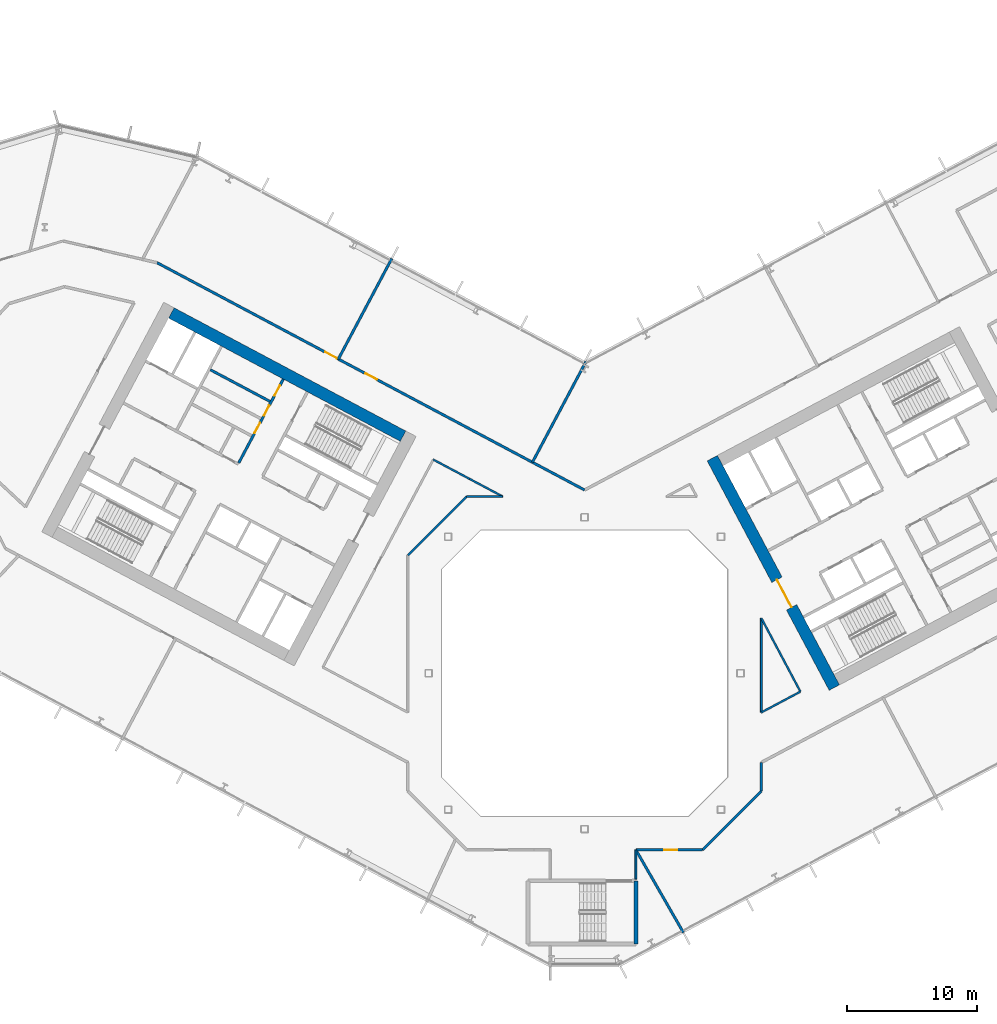
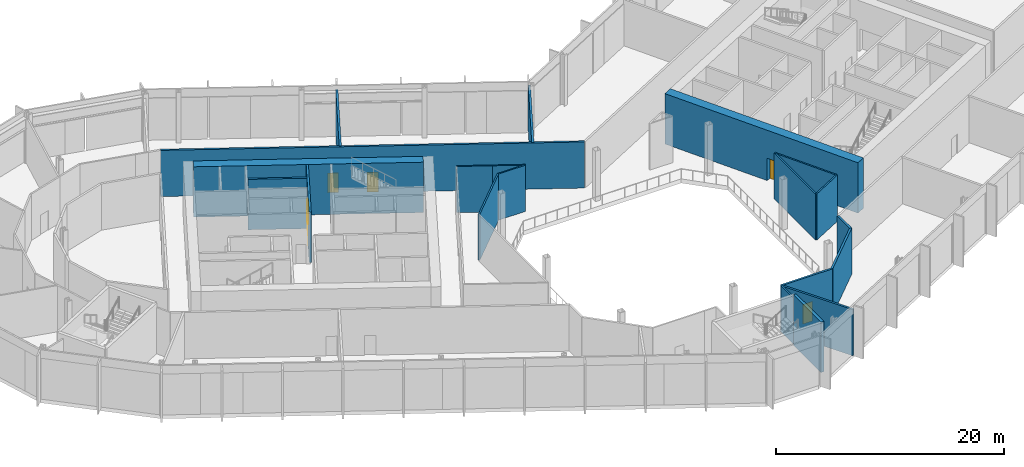
# One storey, part 14 of 30: 20 walls, 7 doors, 7 openings.
"""IFC4 building model written with IfcOpenShell, lengths in metres."""

from ifc_helpers import new_model, si_unit, direction, frame, frame_2d, origin, place, context, subcontext, project, spatial, rectangle, extrude, material, layer, layer_set, type_object, element, fill, save


model = new_model("IFC4")

# Units and contexts
model_context = context("Model", 3, precision=1e-05, world=origin(), true_north=direction((0.0, 1.0)))
body_context = subcontext(model_context, "Body", "Model", "MODEL_VIEW")
ifc_project = project(units=[si_unit("LENGTHUNIT", "METRE"), si_unit("AREAUNIT", "SQUARE_METRE"), si_unit("VOLUMEUNIT", "CUBIC_METRE"), si_unit("PLANEANGLEUNIT", "RADIAN"), si_unit("MASSUNIT", "GRAM", prefix="KILO")], contexts=[model_context])

# Site, building, storey
site_placement = place(None, origin())
site = spatial("IfcSite", under=ifc_project, at=site_placement, CompositionType="ELEMENT")
building_placement = place(site_placement, origin())
building = spatial("IfcBuilding", under=site, at=building_placement, Name="Cormorant Relay Tower", CompositionType="ELEMENT")
storey_placement = place(building_placement, frame((0.0, 0.0, 55.39990234375)))
storey = spatial("IfcBuildingStorey", under=building, at=storey_placement, Name="L10", CompositionType="ELEMENT", Elevation=55.39990234375)

# Wall
ifc_material_1 = material(Name="Concrete 40 MPa", Category="concrete")
ifc_layer_1 = layer(ifc_material_1, 0.199951171875)
ifc_layer_set_1 = layer_set([ifc_layer_1], Name="Core internal wall 200")
wall_type_1 = type_object("IfcWallType", Name="Core internal wall 200", PredefinedType="SOLIDWALL", material=ifc_layer_set_1)
wall_1_placement = place(storey_placement, frame((-24.214599609375, 20.91650390625, 0.0), z_axis=(0.0, 0.0, 1.0), x_axis=(-0.882964314875, 0.469440111896, 0.0)))
element("IfcWall", 1, at=wall_1_placement, inside=storey, type_object=wall_type_1, Name="L10 core A shaft and room wall", PredefinedType="SOLIDWALL", context=body_context, shape_type="SweptSolid", body=[
    extrude(rectangle(XDim=5.2001953125, YDim=0.199951171875, at=frame_2d((2.60009765625, 0.0))), origin(), (0.0, 0.0, 1.0), 5.400146484375),
])

# Wall, openings, doors
ifc_material_2 = material(Name="Concrete 50 MPa", Category="concrete")
ifc_layer_2 = layer(ifc_material_2, 0.199951171875)
ifc_layer_set_2 = layer_set([ifc_layer_2], Name="Core shaft wall 200")
wall_type_2 = type_object("IfcWallType", Name="Core shaft wall 200", PredefinedType="SHEAR", material=ifc_layer_set_2)
wall_2_placement = place(storey_placement, frame((-23.1875, 22.635498046875, 0.0), z_axis=(0.0, 0.0, 1.0), x_axis=(-0.469454336211, -0.882956752176, 0.0)))
wall_2 = element("IfcWall", 2, at=wall_2_placement, inside=storey, type_object=wall_type_2, Name="L10 core A shaft wall", PredefinedType="SHEAR", context=body_context, shape_type="SweptSolid", body=[
    extrude(rectangle(XDim=7.300048828125, YDim=0.199951171875, at=frame_2d((3.64990234375, 0.0))), origin(), (0.0, 0.0, 1.0), 5.400146484375),
])
opening_1_placement = place(wall_2_placement, frame((0.550048828125, 0.0, 0.0)))
opening_1 = element("IfcOpeningElement", 3, at=opening_1_placement, cuts=wall_2, Name="Opening CDD-071", PredefinedType="OPENING", context=body_context, shape_type="SweptSolid", body=[
    extrude(rectangle(XDim=0.89990234375, YDim=2.10009765625, at=frame_2d((0.449951171875, 1.050048828125))), frame((0.0, 0.10986328125, 0.0), z_axis=(0.0, -1.0, 0.0), x_axis=(1.0, 0.0, 0.0)), (0.0, 0.0, 1.0), 0.219970703125),
])
opening_2_placement = place(wall_2_placement, frame((2.300048828125, 0.0, 0.0)))
opening_2 = element("IfcOpeningElement", 4, at=opening_2_placement, cuts=wall_2, Name="Opening CDD-072", PredefinedType="OPENING", context=body_context, shape_type="SweptSolid", body=[
    extrude(rectangle(XDim=0.89990234375, YDim=2.10009765625, at=frame_2d((0.449951171875, 1.050048828125))), frame((0.0, 0.10986328125, 0.0), z_axis=(0.0, -1.0, 0.0), x_axis=(1.0, 0.0, 0.0)), (0.0, 0.0, 1.0), 0.219970703125),
])
opening_3_placement = place(wall_2_placement, frame((3.800048828125, 0.0, 0.0)))
opening_3 = element("IfcOpeningElement", 5, at=opening_3_placement, cuts=wall_2, Name="Opening CDD-073", PredefinedType="OPENING", context=body_context, shape_type="SweptSolid", body=[
    extrude(rectangle(XDim=0.89990234375, YDim=2.10009765625, at=frame_2d((0.449951171875, 1.050048828125))), frame((0.0, 0.10986328125, 0.0), z_axis=(0.0, -1.0, 0.0), x_axis=(1.0, 0.0, 0.0)), (0.0, 0.0, 1.0), 0.219970703125),
])
ifc_material_3 = material(Name="Steel fire door", Category="steel")
door_type_1 = type_object("IfcDoorType", Name="Core room door 900x2100", OperationType="SINGLE_SWING_LEFT", PredefinedType="DOOR", material=ifc_material_3)
door_1_placement = place(opening_1_placement, origin())
door_1 = element("IfcDoor", 6, at=door_1_placement, inside=storey, type_object=door_type_1, Name="Core room door 900x2100", OperationType="SINGLE_SWING_LEFT", OverallHeight=2.10009765625, OverallWidth=0.89990234375, PredefinedType="DOOR", context=body_context, shape_type="SweptSolid", body=[
    extrude(rectangle(XDim=0.89990234375, YDim=2.10009765625, at=frame_2d((0.449951171875, 1.050048828125))), frame((0.0, 0.02490234375, 0.0), z_axis=(0.0, -1.0, 0.0), x_axis=(1.0, 0.0, 0.0)), (0.0, 0.0, 1.0), 0.050048828125),
])
fill(opening_1, door_1)
door_2_placement = place(opening_2_placement, origin())
door_2 = element("IfcDoor", 7, at=door_2_placement, inside=storey, type_object=door_type_1, Name="Core room door 900x2100", OperationType="SINGLE_SWING_LEFT", OverallHeight=2.10009765625, OverallWidth=0.89990234375, PredefinedType="DOOR", context=body_context, shape_type="SweptSolid", body=[
    extrude(rectangle(XDim=0.89990234375, YDim=2.10009765625, at=frame_2d((0.449951171875, 1.050048828125))), frame((0.0, 0.02490234375, 0.0), z_axis=(0.0, -1.0, 0.0), x_axis=(1.0, 0.0, 0.0)), (0.0, 0.0, 1.0), 0.050048828125),
])
fill(opening_2, door_2)
door_3_placement = place(opening_3_placement, frame((0.89990234375, 0.0, 0.0), z_axis=(0.0, 0.0, 1.0), x_axis=(-1.0, 0.0, 0.0)))
door_3 = element("IfcDoor", 8, at=door_3_placement, inside=storey, type_object=door_type_1, Name="Core room door 900x2100", OperationType="SINGLE_SWING_RIGHT", OverallHeight=2.10009765625, OverallWidth=0.89990234375, PredefinedType="DOOR", context=body_context, shape_type="SweptSolid", body=[
    extrude(rectangle(XDim=0.89990234375, YDim=2.10009765625, at=frame_2d((0.449951171875, 1.050048828125))), frame((0.0, 0.02490234375, 0.0), z_axis=(0.0, -1.0, 0.0), x_axis=(1.0, 0.0, 0.0)), (0.0, 0.0, 1.0), 0.050048828125),
])
fill(opening_3, door_3)

# Wall
ifc_material_4 = material(Name="Concrete 70 MPa", Category="concrete")
ifc_layer_3 = layer(ifc_material_4, 0.89990234375)
ifc_layer_set_3 = layer_set([ifc_layer_3], Name="Core wall 900")
wall_type_3 = type_object("IfcWallType", Name="Core wall 900", PredefinedType="SHEAR", material=ifc_layer_set_3)
wall_3_placement = place(storey_placement, frame((-13.97021484375, 18.244140625, 0.0), z_axis=(0.0, 0.0, 1.0), x_axis=(-0.88294509198, 0.469476266226, 0.0)))
element("IfcWall", 9, at=wall_3_placement, inside=storey, type_object=wall_type_3, Name="L10 core A wall", PredefinedType="SHEAR", context=body_context, shape_type="SweptSolid", body=[
    extrude(rectangle(XDim=20.199951171875, YDim=0.89990234375, at=frame_2d((10.10009765625, 0.0))), origin(), (0.0, 0.0, 1.0), 5.400146484375),
])

# Wall, opening, door
wall_4_placement = place(storey_placement, frame((19.21923828125, -1.106689453125, 0.0), z_axis=(0.0, 0.0, 1.0), x_axis=(-0.46947084998, 0.882947971864, 0.0)))
wall_4 = element("IfcWall", 10, at=wall_4_placement, inside=storey, type_object=wall_type_3, Name="L10 core B wall", PredefinedType="SHEAR", context=body_context, shape_type="SweptSolid", body=[
    extrude(rectangle(XDim=20.0, YDim=0.89990234375, at=frame_2d((10.0, 0.0))), origin(), (0.0, 0.0, 1.0), 5.400146484375),
])
opening_4_placement = place(wall_4_placement, frame((7.0, 0.0, 0.0)))
opening_4 = element("IfcOpeningElement", 11, at=opening_4_placement, cuts=wall_4, Name="Opening CDA-015", PredefinedType="OPENING", context=body_context, shape_type="SweptSolid", body=[
    extrude(rectangle(XDim=2.39990234375, YDim=2.39990234375, at=frame_2d((1.199951171875, 1.199951171875))), frame((0.0, 0.4599609375, 0.0), z_axis=(0.0, -1.0, 0.0), x_axis=(1.0, 0.0, 0.0)), (0.0, 0.0, 1.0), 0.919921875),
])
ifc_material_5 = material(Name="Steel fire door", Category="steel")
door_type_2 = type_object("IfcDoorType", Name="Core lobby door 2400x2400", OperationType="DOUBLE_DOOR_SINGLE_SWING", PredefinedType="DOOR", material=ifc_material_5)
door_4_placement = place(opening_4_placement, frame((2.39990234375, 0.0, 0.0), z_axis=(0.0, 0.0, 1.0), x_axis=(-1.0, 0.0, 0.0)))
door_4 = element("IfcDoor", 12, at=door_4_placement, inside=storey, type_object=door_type_2, Name="Core lobby door 2400x2400", OperationType="DOUBLE_DOOR_SINGLE_SWING", OverallHeight=2.39990234375, OverallWidth=2.39990234375, PredefinedType="DOOR", context=body_context, shape_type="SweptSolid", body=[
    extrude(rectangle(XDim=2.39990234375, YDim=2.39990234375, at=frame_2d((1.199951171875, 1.199951171875))), frame((0.0, 0.02490234375, 0.0), z_axis=(0.0, -1.0, 0.0), x_axis=(1.0, 0.0, 0.0)), (0.0, 0.0, 1.0), 0.050048828125),
])
fill(opening_4, door_4)

# Wall, openings, doors
ifc_material_6 = material(Name="Fire-rated gypsum board partition")
ifc_layer_4 = layer(ifc_material_6, 0.199951171875)
ifc_layer_set_4 = layer_set([ifc_layer_4], Name="Fire-rated gypsum partition 200")
wall_type_4 = type_object("IfcWallType", Name="Fire-rated gypsum partition 200", PredefinedType="PARTITIONING", material=ifc_layer_set_4)
wall_5_placement = place(storey_placement, frame((-32.89404296875, 31.590087890625, 0.0), z_axis=(0.0, 0.0, 1.0), x_axis=(0.882948512555, -0.469469833085, 0.0)))
wall_5 = element("IfcWall", 13, at=wall_5_placement, inside=storey, type_object=wall_type_4, Name="wall/L10/part/32", PredefinedType="PARTITIONING", context=body_context, shape_type="SweptSolid", body=[
    extrude(rectangle(XDim=37.2548828125, YDim=0.199951171875, at=frame_2d((18.62744140625, 0.0))), origin(), (0.0, 0.0, 1.0), 4.9501953125),
])
opening_5_placement = place(wall_5_placement, frame((18.14990234375, 0.0, 0.0)))
opening_5 = element("IfcOpeningElement", 14, at=opening_5_placement, cuts=wall_5, Name="Opening FD1-049", PredefinedType="OPENING", context=body_context, shape_type="SweptSolid", body=[
    extrude(rectangle(XDim=1.0, YDim=2.10009765625, at=frame_2d((0.5, 1.050048828125))), frame((0.0, 0.10986328125, 0.0), z_axis=(0.0, -1.0, 0.0), x_axis=(1.0, 0.0, 0.0)), (0.0, 0.0, 1.0), 0.219970703125),
])
opening_6_placement = place(wall_5_placement, frame((14.64990234375, 0.0, 0.0)))
opening_6 = element("IfcOpeningElement", 15, at=opening_6_placement, cuts=wall_5, Name="Opening FD1-050", PredefinedType="OPENING", context=body_context, shape_type="SweptSolid", body=[
    extrude(rectangle(XDim=1.0, YDim=2.10009765625, at=frame_2d((0.5, 1.050048828125))), frame((0.0, 0.10986328125, 0.0), z_axis=(0.0, -1.0, 0.0), x_axis=(1.0, 0.0, 0.0)), (0.0, 0.0, 1.0), 0.219970703125),
])
ifc_material_7 = material(Name="Fire-rated steel door", Category="steel")
door_type_3 = type_object("IfcDoorType", Name="Fire door 1000 x 2100", OperationType="SINGLE_SWING_LEFT", PredefinedType="DOOR", material=ifc_material_7)
door_5_placement = place(opening_5_placement, origin())
door_5 = element("IfcDoor", 16, at=door_5_placement, inside=storey, type_object=door_type_3, Name="door/L10/11", OperationType="SINGLE_SWING_RIGHT", OverallHeight=2.10009765625, OverallWidth=1.0, PredefinedType="DOOR", context=body_context, shape_type="SweptSolid", body=[
    extrude(rectangle(XDim=1.0, YDim=2.10009765625, at=frame_2d((0.5, 1.050048828125))), frame((0.0, 0.02490234375, 0.0), z_axis=(0.0, -1.0, 0.0), x_axis=(1.0, 0.0, 0.0)), (0.0, 0.0, 1.0), 0.050048828125),
])
fill(opening_5, door_5)
door_6_placement = place(opening_6_placement, origin())
door_6 = element("IfcDoor", 17, at=door_6_placement, inside=storey, type_object=door_type_3, Name="door/L10/12", OperationType="SINGLE_SWING_RIGHT", OverallHeight=2.10009765625, OverallWidth=1.0, PredefinedType="DOOR", context=body_context, shape_type="SweptSolid", body=[
    extrude(rectangle(XDim=1.0, YDim=2.10009765625, at=frame_2d((0.5, 1.050048828125))), frame((0.0, 0.02490234375, 0.0), z_axis=(0.0, -1.0, 0.0), x_axis=(1.0, 0.0, 0.0)), (0.0, 0.0, 1.0), 0.050048828125),
])
fill(opening_6, door_6)

# Walls
wall_6_placement = place(storey_placement, frame((-14.843994140625, 31.903076171875, 0.0), z_axis=(0.0, 0.0, 1.0), x_axis=(-0.469374180568, -0.882999365014, 0.0)))
element("IfcWall", 18, at=wall_6_placement, inside=storey, type_object=wall_type_4, Name="wall/L10/part/34", PredefinedType="PARTITIONING", context=body_context, shape_type="SweptSolid", body=[
    extrude(rectangle(XDim=8.749755859375, YDim=0.199951171875, at=frame_2d((4.375, 0.0))), origin(), (0.0, 0.0, 1.0), 4.9501953125),
])
wall_7_placement = place(storey_placement, frame((0.10498046875, 23.98388671875, 0.0), z_axis=(0.0, 0.0, 1.0), x_axis=(-0.469364726907, -0.883004390213, 0.0)))
element("IfcWall", 19, at=wall_7_placement, inside=storey, type_object=wall_type_4, Name="wall/L10/part/38", PredefinedType="PARTITIONING", context=body_context, shape_type="SweptSolid", body=[
    extrude(rectangle(XDim=8.775390625, YDim=0.199951171875, at=frame_2d((4.3876953125, 0.0))), origin(), (0.0, 0.0, 1.0), 4.9501953125),
])
wall_8_placement = place(storey_placement, frame((13.60009765625, -6.885009765625, 0.0), z_axis=(0.0, 0.0, 1.0), x_axis=(0.0, -1.0, 0.0)))
element("IfcWall", 20, at=wall_8_placement, inside=storey, type_object=wall_type_4, Name="wall/L10/part/53", PredefinedType="PARTITIONING", context=body_context, shape_type="SweptSolid", body=[
    extrude(rectangle(XDim=2.19189453125, YDim=0.199951171875, at=frame_2d((1.095947265625, 0.0))), origin(), (0.0, 0.0, 1.0), 4.9501953125),
])
wall_9_placement = place(storey_placement, frame((13.60009765625, -9.076904296875, 0.0), z_axis=(0.0, 0.0, 1.0), x_axis=(-0.707106781187, -0.707106781187, 0.0)))
element("IfcWall", 21, at=wall_9_placement, inside=storey, type_object=wall_type_4, Name="wall/L10/part/54", PredefinedType="PARTITIONING", context=body_context, shape_type="SweptSolid", body=[
    extrude(rectangle(XDim=6.396728515625, YDim=0.199951171875, at=frame_2d((3.1982421875, 0.0))), origin(), (0.0, 0.0, 1.0), 4.9501953125),
])

# Wall, opening, door
wall_10_placement = place(storey_placement, frame((9.076904296875, -13.60009765625, 0.0), z_axis=(0.0, 0.0, 1.0), x_axis=(-1.0, 0.0, 0.0)))
wall_10 = element("IfcWall", 22, at=wall_10_placement, inside=storey, type_object=wall_type_4, Name="wall/L10/part/55", PredefinedType="PARTITIONING", context=body_context, shape_type="SweptSolid", body=[
    extrude(rectangle(XDim=5.126953125, YDim=0.199951171875, at=frame_2d((2.5634765625, 0.0))), origin(), (0.0, 0.0, 1.0), 4.9501953125),
])
opening_7_placement = place(wall_10_placement, frame((1.949951171875, 0.0, 0.0)))
opening_7 = element("IfcOpeningElement", 23, at=opening_7_placement, cuts=wall_10, Name="Opening FD1-022", PredefinedType="OPENING", context=body_context, shape_type="SweptSolid", body=[
    extrude(rectangle(XDim=1.0, YDim=2.10009765625, at=frame_2d((0.5, 1.050048828125))), frame((0.0, 0.10986328125, 0.0), z_axis=(0.0, -1.0, 0.0), x_axis=(1.0, 0.0, 0.0)), (0.0, 0.0, 1.0), 0.219970703125),
])
door_7_placement = place(opening_7_placement, origin())
door_7 = element("IfcDoor", 24, at=door_7_placement, inside=storey, type_object=door_type_3, Name="door/L10/3", OperationType="SINGLE_SWING_RIGHT", OverallHeight=2.10009765625, OverallWidth=1.0, PredefinedType="DOOR", context=body_context, shape_type="SweptSolid", body=[
    extrude(rectangle(XDim=1.0, YDim=2.10009765625, at=frame_2d((0.5, 1.050048828125))), frame((0.0, 0.02490234375, 0.0), z_axis=(0.0, -1.0, 0.0), x_axis=(1.0, 0.0, 0.0)), (0.0, 0.0, 1.0), 0.050048828125),
])
fill(opening_7, door_7)

# Walls
wall_11_placement = place(storey_placement, frame((7.60888671875, -19.965087890625, 0.0), z_axis=(0.0, 0.0, 1.0), x_axis=(-0.498375530061, 0.866961262708, 0.0)))
element("IfcWall", 25, at=wall_11_placement, inside=storey, type_object=wall_type_4, Name="wall/L10/part/56", PredefinedType="PARTITIONING", context=body_context, shape_type="SweptSolid", body=[
    extrude(rectangle(XDim=7.341796875, YDim=0.199951171875, at=frame_2d((3.6708984375, 0.0))), origin(), (0.0, 0.0, 1.0), 4.9501953125),
])
ifc_material_8 = material(Name="Gypsum board partition")
ifc_layer_5 = layer(ifc_material_8, 0.14990234375)
ifc_layer_set_5 = layer_set([ifc_layer_5], Name="Gypsum board partition 150")
wall_type_5 = type_object("IfcWallType", Name="Gypsum board partition 150", PredefinedType="PARTITIONING", material=ifc_layer_set_5)
wall_12_placement = place(storey_placement, frame((-11.64404296875, 16.44091796875, 0.0), z_axis=(0.0, 0.0, 1.0), x_axis=(0.882853947977, -0.469647640834, 0.0)))
element("IfcWall", 26, at=wall_12_placement, inside=storey, type_object=wall_type_5, Name="wall/L10/part/36", PredefinedType="PARTITIONING", context=body_context, shape_type="SweptSolid", body=[
    extrude(rectangle(XDim=3.1533203125, YDim=0.14990234375, at=frame_2d((1.57666015625, 0.0))), origin(), (0.0, 0.0, 1.0), 4.9501953125),
])
wall_13_placement = place(storey_placement, frame((-13.60009765625, 9.076904296875, 0.0), z_axis=(0.0, 0.0, 1.0), x_axis=(0.707106781187, 0.707106781187, 0.0)))
element("IfcWall", 27, at=wall_13_placement, inside=storey, type_object=wall_type_5, Name="wall/L10/part/42", PredefinedType="PARTITIONING", context=body_context, shape_type="SweptSolid", body=[
    extrude(rectangle(XDim=6.396728515625, YDim=0.14990234375, at=frame_2d((3.1982421875, 0.0))), origin(), (0.0, 0.0, 1.0), 4.9501953125),
])
wall_14_placement = place(storey_placement, frame((-6.301025390625, 13.60009765625, 0.0), z_axis=(0.0, 0.0, 1.0), x_axis=(-1.0, 0.0, 0.0)))
element("IfcWall", 28, at=wall_14_placement, inside=storey, type_object=wall_type_5, Name="wall/L10/part/46", PredefinedType="PARTITIONING", context=body_context, shape_type="SweptSolid", body=[
    extrude(rectangle(XDim=2.77587890625, YDim=0.14990234375, at=frame_2d((1.387939453125, 0.0))), origin(), (0.0, 0.0, 1.0), 4.9501953125),
])
wall_15_placement = place(storey_placement, frame((-6.301025390625, 13.60009765625, 0.0), z_axis=(0.0, 0.0, 1.0), x_axis=(-0.883065539011, 0.469249671083, 0.0)))
element("IfcWall", 29, at=wall_15_placement, inside=storey, type_object=wall_type_5, Name="wall/L10/part/47", PredefinedType="PARTITIONING", context=body_context, shape_type="SweptSolid", body=[
    extrude(rectangle(XDim=2.89794921875, YDim=0.14990234375, at=frame_2d((1.448974609375, 0.0))), origin(), (0.0, 0.0, 1.0), 4.9501953125),
])
wall_16_placement = place(storey_placement, frame((3.949951171875, -13.60009765625, 0.0), z_axis=(0.0, 0.0, 1.0), x_axis=(0.0, -1.0, 0.0)))
element("IfcWall", 30, at=wall_16_placement, inside=storey, type_object=wall_type_5, Name="wall/L10/part/52", PredefinedType="PARTITIONING", context=body_context, shape_type="SweptSolid", body=[
    extrude(rectangle(XDim=2.239990234375, YDim=0.14990234375, at=frame_2d((1.1201171875, 0.0))), origin(), (0.0, 0.0, 1.0), 4.9501953125),
])
wall_17_placement = place(storey_placement, frame((13.60009765625, 4.242919921875, 0.0), z_axis=(0.0, 0.0, 1.0), x_axis=(0.0, -1.0, 0.0)))
element("IfcWall", 31, at=wall_17_placement, inside=storey, type_object=wall_type_5, Name="wall/L10/part/88", PredefinedType="PARTITIONING", context=body_context, shape_type="SweptSolid", body=[
    extrude(rectangle(XDim=7.261962890625, YDim=0.14990234375, at=frame_2d((3.630859375, 0.0))), origin(), (0.0, 0.0, 1.0), 4.9501953125),
])
wall_18_placement = place(storey_placement, frame((13.60009765625, -3.01904296875, 0.0), z_axis=(0.0, 0.0, 1.0), x_axis=(0.8828717575, 0.469614160571, 0.0)))
element("IfcWall", 32, at=wall_18_placement, inside=storey, type_object=wall_type_5, Name="wall/L10/part/89", PredefinedType="PARTITIONING", context=body_context, shape_type="SweptSolid", body=[
    extrude(rectangle(XDim=3.409423828125, YDim=0.14990234375, at=frame_2d((1.70458984375, 0.0))), origin(), (0.0, 0.0, 1.0), 4.9501953125),
])
wall_19_placement = place(storey_placement, frame((16.610107421875, -1.41796875, 0.0), z_axis=(0.0, 0.0, 1.0), x_axis=(-0.469479085554, 0.882943592891, 0.0)))
element("IfcWall", 33, at=wall_19_placement, inside=storey, type_object=wall_type_5, Name="wall/L10/part/90", PredefinedType="PARTITIONING", context=body_context, shape_type="SweptSolid", body=[
    extrude(rectangle(XDim=6.411376953125, YDim=0.14990234375, at=frame_2d((3.20556640625, 0.0))), origin(), (0.0, 0.0, 1.0), 4.9501953125),
])
ifc_material_9 = material(Name="Concrete 50 MPa", Category="concrete")
ifc_layer_6 = layer(ifc_material_9, 0.300048828125)
ifc_layer_set_6 = layer_set([ifc_layer_6], Name="Remote stair wall 300")
wall_type_6 = type_object("IfcWallType", Name="Remote stair wall 300", PredefinedType="SHEAR", material=ifc_layer_set_6)
wall_20_placement = place(storey_placement, frame((3.949951171875, -15.97509765625, 0.0), z_axis=(0.0, 0.0, 1.0), x_axis=(0.0, -1.0, 0.0)))
element("IfcWall", 34, at=wall_20_placement, inside=storey, type_object=wall_type_6, Name="L10 exit stair RK1 wall", PredefinedType="SHEAR", context=body_context, shape_type="SweptSolid", body=[
    extrude(rectangle(XDim=4.849853515625, YDim=0.300048828125, at=frame_2d((2.4248046875, 0.0))), origin(), (0.0, 0.0, 1.0), 5.400146484375),
])

save(model, "model.ifc")
